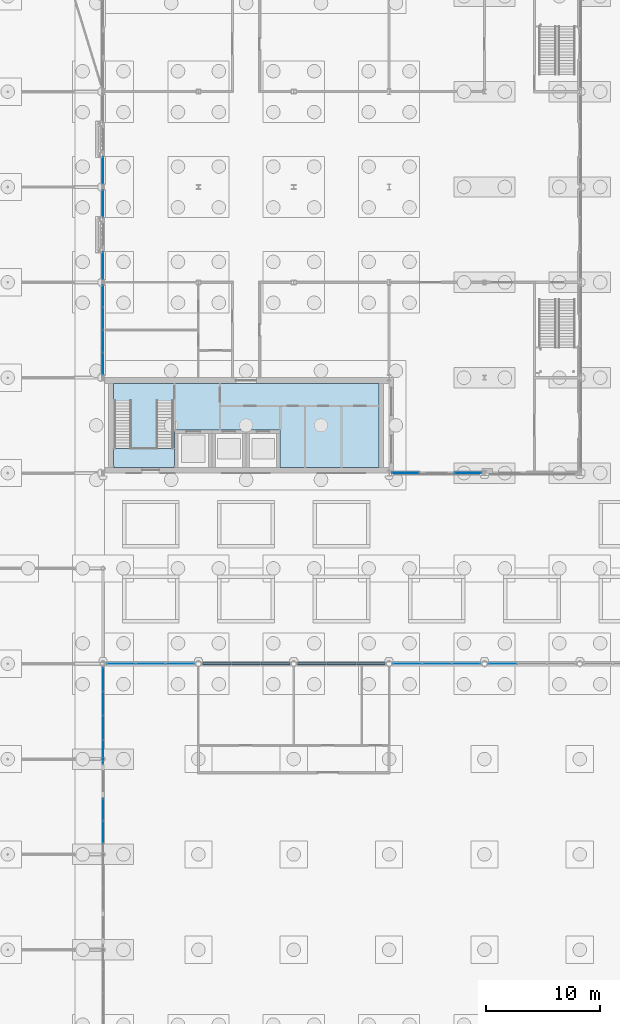
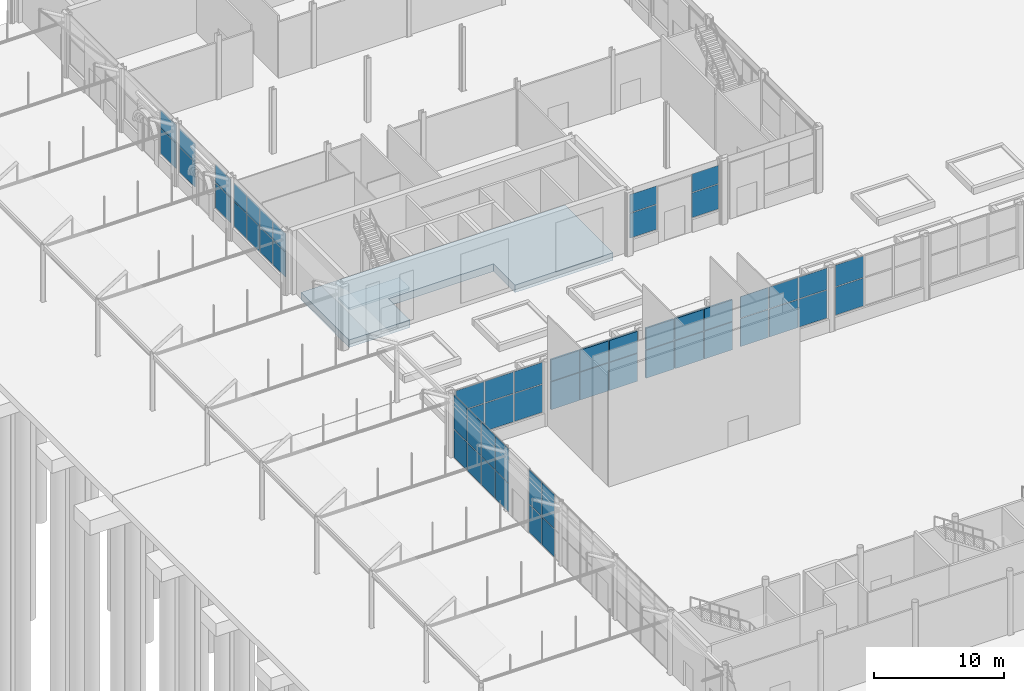
# One storey, part 176 of 212: 56 plates, 2 slabs, 14 elements without a shape of their own.
"""IFC4 building model written with IfcOpenShell, lengths in metres."""

from ifc_helpers import new_model, si_unit, direction, frame, origin, origin_2d, place, context, subcontext, project, spatial, polyline, rectangle, outline, extrude, material, layer, layer_set, type_object, element, aggregate, save


model = new_model("IFC4")

# Units and contexts
model_context = context("Model", 3, precision=1e-05, world=origin(), true_north=direction((0.0, 1.0)))
body_context = subcontext(model_context, "Body", "Model", "MODEL_VIEW")
ifc_project = project(units=[si_unit("LENGTHUNIT", "METRE"), si_unit("AREAUNIT", "SQUARE_METRE"), si_unit("VOLUMEUNIT", "CUBIC_METRE"), si_unit("PLANEANGLEUNIT", "RADIAN"), si_unit("MASSUNIT", "GRAM", prefix="KILO")], contexts=[model_context])

# Site, building, storey
site_placement = place(None, origin())
site = spatial("IfcSite", under=ifc_project, at=site_placement, CompositionType="ELEMENT")
building_placement = place(site_placement, origin())
building = spatial("IfcBuilding", under=site, at=building_placement, Name="Catenary Quay Ferry Terminal", CompositionType="ELEMENT")
storey_placement = place(building_placement, origin())
storey = spatial("IfcBuildingStorey", under=building, at=storey_placement, Name="L00", CompositionType="ELEMENT", Elevation=0.0)

# Curtain wall, plates
ifc_material_1 = material(Name="Aluminium and glass", Category="aluminium")
curtain_wall_type_1 = type_object("IfcCurtainWallType", Name="CWG", PredefinedType="NOTDEFINED", material=ifc_material_1)
curtain_wall_1_placement = place(storey_placement, origin())
curtain_wall_1 = element("IfcCurtainWall", 1, at=curtain_wall_1_placement, inside=storey, type_object=curtain_wall_type_1, Name="Gable departure hall curtain wall CW14", PredefinedType="NOTDEFINED")
ifc_material_2 = material(Name="Glass", Category="glass")
ifc_layer_1 = layer(ifc_material_2, 0.031982421875)
ifc_layer_set_1 = layer_set([ifc_layer_1], Name="PN1")
plate_type_1 = type_object("IfcPlateType", Name="PN1", PredefinedType="CURTAIN_PANEL", material=ifc_layer_set_1)
plate_1_placement = place(storey_placement, frame((25.199951171875, 127.97998046875, 0.06005859375), z_axis=(0.0, 0.0, 1.0), x_axis=(0.0, 1.0, 0.0)))
plate_1 = element("IfcPlate", 2, at=plate_1_placement, type_object=plate_type_1, Name="CW14 panel 4.1", PredefinedType="CURTAIN_PANEL", context=body_context, shape_type="SweptSolid", body=[
    extrude(rectangle(XDim=1.919921875, YDim=0.031982421875, at=origin_2d()), origin(), (0.0, 0.0, 1.0), 2.610107421875),
])
plate_2_placement = place(storey_placement, frame((25.199951171875, 127.97998046875, 2.72998046875), z_axis=(0.0, 0.0, 1.0), x_axis=(0.0, 1.0, 0.0)))
plate_2 = element("IfcPlate", 3, at=plate_2_placement, type_object=plate_type_1, Name="CW14 panel 4.2", PredefinedType="CURTAIN_PANEL", context=body_context, shape_type="SweptSolid", body=[
    extrude(rectangle(XDim=1.919921875, YDim=0.031982421875, at=origin_2d()), origin(), (0.0, 0.0, 1.0), 3.2099609375),
])
plate_3_placement = place(storey_placement, frame((25.199951171875, 129.945068359375, 0.06005859375), z_axis=(0.0, 0.0, 1.0), x_axis=(0.0, 1.0, 0.0)))
plate_3 = element("IfcPlate", 4, at=plate_3_placement, type_object=plate_type_1, Name="CW14 panel 5.1", PredefinedType="CURTAIN_PANEL", context=body_context, shape_type="SweptSolid", body=[
    extrude(rectangle(XDim=1.889892578125, YDim=0.031982421875, at=origin_2d()), origin(), (0.0, 0.0, 1.0), 2.610107421875),
])
plate_4_placement = place(storey_placement, frame((25.199951171875, 129.945068359375, 2.72998046875), z_axis=(0.0, 0.0, 1.0), x_axis=(0.0, 1.0, 0.0)))
plate_4 = element("IfcPlate", 5, at=plate_4_placement, type_object=plate_type_1, Name="CW14 panel 5.2", PredefinedType="CURTAIN_PANEL", context=body_context, shape_type="SweptSolid", body=[
    extrude(rectangle(XDim=1.889892578125, YDim=0.031982421875, at=origin_2d()), origin(), (0.0, 0.0, 1.0), 3.2099609375),
])
aggregate(curtain_wall_1, [plate_1, plate_2, plate_3, plate_4])

curtain_wall_2_placement = place(storey_placement, origin())
curtain_wall_2 = element("IfcCurtainWall", 6, at=curtain_wall_2_placement, inside=storey, type_object=curtain_wall_type_1, Name="Gable departure hall curtain wall CW15", PredefinedType="NOTDEFINED")
plate_5_placement = place(storey_placement, frame((25.199951171875, 135.03369140625, 0.06005859375), z_axis=(0.0, 0.0, 1.0), x_axis=(0.0, 1.0, 0.0)))
plate_5 = element("IfcPlate", 7, at=plate_5_placement, type_object=plate_type_1, Name="CW15 panel 1.1", PredefinedType="CURTAIN_PANEL", context=body_context, shape_type="SweptSolid", body=[
    extrude(rectangle(XDim=2.047607421875, YDim=0.031982421875, at=origin_2d()), origin(), (0.0, 0.0, 1.0), 2.610107421875),
])
plate_6_placement = place(storey_placement, frame((25.199951171875, 135.03369140625, 2.72998046875), z_axis=(0.0, 0.0, 1.0), x_axis=(0.0, 1.0, 0.0)))
plate_6 = element("IfcPlate", 8, at=plate_6_placement, type_object=plate_type_1, Name="CW15 panel 1.2", PredefinedType="CURTAIN_PANEL", context=body_context, shape_type="SweptSolid", body=[
    extrude(rectangle(XDim=2.047607421875, YDim=0.031982421875, at=origin_2d()), origin(), (0.0, 0.0, 1.0), 3.2099609375),
])
plate_7_placement = place(storey_placement, frame((25.199951171875, 137.15625, 0.06005859375), z_axis=(0.0, 0.0, 1.0), x_axis=(0.0, 1.0, 0.0)))
plate_7 = element("IfcPlate", 9, at=plate_7_placement, type_object=plate_type_1, Name="CW15 panel 2.1", PredefinedType="CURTAIN_PANEL", context=body_context, shape_type="SweptSolid", body=[
    extrude(rectangle(XDim=2.077392578125, YDim=0.031982421875, at=origin_2d()), origin(), (0.0, 0.0, 1.0), 2.610107421875),
])
plate_8_placement = place(storey_placement, frame((25.199951171875, 137.15625, 2.72998046875), z_axis=(0.0, 0.0, 1.0), x_axis=(0.0, 1.0, 0.0)))
plate_8 = element("IfcPlate", 10, at=plate_8_placement, type_object=plate_type_1, Name="CW15 panel 2.2", PredefinedType="CURTAIN_PANEL", context=body_context, shape_type="SweptSolid", body=[
    extrude(rectangle(XDim=2.077392578125, YDim=0.031982421875, at=origin_2d()), origin(), (0.0, 0.0, 1.0), 3.2099609375),
])
plate_9_placement = place(storey_placement, frame((25.199951171875, 139.293701171875, 0.06005859375), z_axis=(0.0, 0.0, 1.0), x_axis=(0.0, 1.0, 0.0)))
plate_9 = element("IfcPlate", 11, at=plate_9_placement, type_object=plate_type_1, Name="CW15 panel 3.1", PredefinedType="CURTAIN_PANEL", context=body_context, shape_type="SweptSolid", body=[
    extrude(rectangle(XDim=2.077392578125, YDim=0.031982421875, at=origin_2d()), origin(), (0.0, 0.0, 1.0), 2.610107421875),
])
plate_10_placement = place(storey_placement, frame((25.199951171875, 139.293701171875, 2.72998046875), z_axis=(0.0, 0.0, 1.0), x_axis=(0.0, 1.0, 0.0)))
plate_10 = element("IfcPlate", 12, at=plate_10_placement, type_object=plate_type_1, Name="CW15 panel 3.2", PredefinedType="CURTAIN_PANEL", context=body_context, shape_type="SweptSolid", body=[
    extrude(rectangle(XDim=2.077392578125, YDim=0.031982421875, at=origin_2d()), origin(), (0.0, 0.0, 1.0), 3.2099609375),
])
plate_11_placement = place(storey_placement, frame((25.199951171875, 141.416259765625, 0.06005859375), z_axis=(0.0, 0.0, 1.0), x_axis=(0.0, 1.0, 0.0)))
plate_11 = element("IfcPlate", 13, at=plate_11_placement, type_object=plate_type_1, Name="CW15 panel 4.1", PredefinedType="CURTAIN_PANEL", context=body_context, shape_type="SweptSolid", body=[
    extrude(rectangle(XDim=2.047607421875, YDim=0.031982421875, at=origin_2d()), origin(), (0.0, 0.0, 1.0), 2.610107421875),
])
plate_12_placement = place(storey_placement, frame((25.199951171875, 141.416259765625, 2.72998046875), z_axis=(0.0, 0.0, 1.0), x_axis=(0.0, 1.0, 0.0)))
plate_12 = element("IfcPlate", 14, at=plate_12_placement, type_object=plate_type_1, Name="CW15 panel 4.2", PredefinedType="CURTAIN_PANEL", context=body_context, shape_type="SweptSolid", body=[
    extrude(rectangle(XDim=2.047607421875, YDim=0.031982421875, at=origin_2d()), origin(), (0.0, 0.0, 1.0), 3.2099609375),
])
aggregate(curtain_wall_2, [plate_5, plate_6, plate_7, plate_8, plate_9, plate_10, plate_11, plate_12])

ifc_material_3 = material(Name="Aluminium and glass", Category="aluminium")
curtain_wall_type_2 = type_object("IfcCurtainWallType", Name="CWH", PredefinedType="NOTDEFINED", material=ifc_material_3)
curtain_wall_3_placement = place(storey_placement, origin())
curtain_wall_3 = element("IfcCurtainWall", 15, at=curtain_wall_3_placement, inside=storey, type_object=curtain_wall_type_2, Name="Hall curtain wall CW40", PredefinedType="NOTDEFINED")
ifc_material_4 = material(Name="Glass", Category="glass")
ifc_layer_2 = layer(ifc_material_4, 0.0400390625)
ifc_layer_set_2 = layer_set([ifc_layer_2], Name="PN2")
plate_type_2 = type_object("IfcPlateType", Name="PN2", PredefinedType="CURTAIN_PANEL", material=ifc_layer_set_2)
plate_13_placement = place(storey_placement, frame((26.8173828125, 142.800048828125, 1.259765625), z_axis=(0.0, 0.0, 1.0), x_axis=(1.0, 0.0, 0.0)))
plate_13 = element("IfcPlate", 16, at=plate_13_placement, type_object=plate_type_2, Name="CW40 panel 1.1", PredefinedType="CURTAIN_PANEL", context=body_context, shape_type="SweptSolid", body=[
    extrude(rectangle(XDim=2.4951171875, YDim=0.0400390625, at=origin_2d()), origin(), (0.0, 0.0, 1.0), 2.610107421875),
])
plate_14_placement = place(storey_placement, frame((26.8173828125, 142.800048828125, 3.93017578125), z_axis=(0.0, 0.0, 1.0), x_axis=(1.0, 0.0, 0.0)))
plate_14 = element("IfcPlate", 17, at=plate_14_placement, type_object=plate_type_2, Name="CW40 panel 1.2", PredefinedType="CURTAIN_PANEL", context=body_context, shape_type="SweptSolid", body=[
    extrude(rectangle(XDim=2.4951171875, YDim=0.0400390625, at=origin_2d()), origin(), (0.0, 0.0, 1.0), 2.010009765625),
])
plate_15_placement = place(storey_placement, frame((29.39990234375, 142.800048828125, 1.259765625), z_axis=(0.0, 0.0, 1.0), x_axis=(1.0, 0.0, 0.0)))
plate_15 = element("IfcPlate", 18, at=plate_15_placement, type_object=plate_type_2, Name="CW40 panel 2.1", PredefinedType="CURTAIN_PANEL", context=body_context, shape_type="SweptSolid", body=[
    extrude(rectangle(XDim=2.530029296875, YDim=0.0400390625, at=origin_2d()), origin(), (0.0, 0.0, 1.0), 2.610107421875),
])
plate_16_placement = place(storey_placement, frame((29.39990234375, 142.800048828125, 3.93017578125), z_axis=(0.0, 0.0, 1.0), x_axis=(1.0, 0.0, 0.0)))
plate_16 = element("IfcPlate", 19, at=plate_16_placement, type_object=plate_type_2, Name="CW40 panel 2.2", PredefinedType="CURTAIN_PANEL", context=body_context, shape_type="SweptSolid", body=[
    extrude(rectangle(XDim=2.530029296875, YDim=0.0400390625, at=origin_2d()), origin(), (0.0, 0.0, 1.0), 2.010009765625),
])
plate_17_placement = place(storey_placement, frame((31.982421875, 142.800048828125, 1.259765625), z_axis=(0.0, 0.0, 1.0), x_axis=(1.0, 0.0, 0.0)))
plate_17 = element("IfcPlate", 20, at=plate_17_placement, type_object=plate_type_2, Name="CW40 panel 3.1", PredefinedType="CURTAIN_PANEL", context=body_context, shape_type="SweptSolid", body=[
    extrude(rectangle(XDim=2.4951171875, YDim=0.0400390625, at=origin_2d()), origin(), (0.0, 0.0, 1.0), 2.610107421875),
])
plate_18_placement = place(storey_placement, frame((31.982421875, 142.800048828125, 3.93017578125), z_axis=(0.0, 0.0, 1.0), x_axis=(1.0, 0.0, 0.0)))
plate_18 = element("IfcPlate", 21, at=plate_18_placement, type_object=plate_type_2, Name="CW40 panel 3.2", PredefinedType="CURTAIN_PANEL", context=body_context, shape_type="SweptSolid", body=[
    extrude(rectangle(XDim=2.4951171875, YDim=0.0400390625, at=origin_2d()), origin(), (0.0, 0.0, 1.0), 2.010009765625),
])
aggregate(curtain_wall_3, [plate_13, plate_14, plate_15, plate_16, plate_17, plate_18])

curtain_wall_4_placement = place(storey_placement, origin())
curtain_wall_4 = element("IfcCurtainWall", 22, at=curtain_wall_4_placement, inside=storey, type_object=curtain_wall_type_2, Name="Hall curtain wall CW43", PredefinedType="NOTDEFINED")
plate_19_placement = place(storey_placement, frame((52.017578125, 142.800048828125, 1.259765625), z_axis=(0.0, 0.0, 1.0), x_axis=(1.0, 0.0, 0.0)))
plate_19 = element("IfcPlate", 23, at=plate_19_placement, type_object=plate_type_2, Name="CW43 panel 1.1", PredefinedType="CURTAIN_PANEL", context=body_context, shape_type="SweptSolid", body=[
    extrude(rectangle(XDim=2.4951171875, YDim=0.0400390625, at=origin_2d()), origin(), (0.0, 0.0, 1.0), 2.610107421875),
])
plate_20_placement = place(storey_placement, frame((52.017578125, 142.800048828125, 3.93017578125), z_axis=(0.0, 0.0, 1.0), x_axis=(1.0, 0.0, 0.0)))
plate_20 = element("IfcPlate", 24, at=plate_20_placement, type_object=plate_type_2, Name="CW43 panel 1.2", PredefinedType="CURTAIN_PANEL", context=body_context, shape_type="SweptSolid", body=[
    extrude(rectangle(XDim=2.4951171875, YDim=0.0400390625, at=origin_2d()), origin(), (0.0, 0.0, 1.0), 2.010009765625),
])
plate_21_placement = place(storey_placement, frame((54.60009765625, 142.800048828125, 1.259765625), z_axis=(0.0, 0.0, 1.0), x_axis=(1.0, 0.0, 0.0)))
plate_21 = element("IfcPlate", 25, at=plate_21_placement, type_object=plate_type_2, Name="CW43 panel 2.1", PredefinedType="CURTAIN_PANEL", context=body_context, shape_type="SweptSolid", body=[
    extrude(rectangle(XDim=2.530029296875, YDim=0.0400390625, at=origin_2d()), origin(), (0.0, 0.0, 1.0), 2.610107421875),
])
plate_22_placement = place(storey_placement, frame((54.60009765625, 142.800048828125, 3.93017578125), z_axis=(0.0, 0.0, 1.0), x_axis=(1.0, 0.0, 0.0)))
plate_22 = element("IfcPlate", 26, at=plate_22_placement, type_object=plate_type_2, Name="CW43 panel 2.2", PredefinedType="CURTAIN_PANEL", context=body_context, shape_type="SweptSolid", body=[
    extrude(rectangle(XDim=2.530029296875, YDim=0.0400390625, at=origin_2d()), origin(), (0.0, 0.0, 1.0), 2.010009765625),
])
plate_23_placement = place(storey_placement, frame((57.1826171875, 142.800048828125, 1.259765625), z_axis=(0.0, 0.0, 1.0), x_axis=(1.0, 0.0, 0.0)))
plate_23 = element("IfcPlate", 27, at=plate_23_placement, type_object=plate_type_2, Name="CW43 panel 3.1", PredefinedType="CURTAIN_PANEL", context=body_context, shape_type="SweptSolid", body=[
    extrude(rectangle(XDim=2.4951171875, YDim=0.0400390625, at=origin_2d()), origin(), (0.0, 0.0, 1.0), 2.610107421875),
])
plate_24_placement = place(storey_placement, frame((57.1826171875, 142.800048828125, 3.93017578125), z_axis=(0.0, 0.0, 1.0), x_axis=(1.0, 0.0, 0.0)))
plate_24 = element("IfcPlate", 28, at=plate_24_placement, type_object=plate_type_2, Name="CW43 panel 3.2", PredefinedType="CURTAIN_PANEL", context=body_context, shape_type="SweptSolid", body=[
    extrude(rectangle(XDim=2.4951171875, YDim=0.0400390625, at=origin_2d()), origin(), (0.0, 0.0, 1.0), 2.010009765625),
])
aggregate(curtain_wall_4, [plate_19, plate_20, plate_21, plate_22, plate_23, plate_24])

curtain_wall_5_placement = place(storey_placement, origin())
curtain_wall_5 = element("IfcCurtainWall", 29, at=curtain_wall_5_placement, inside=storey, type_object=curtain_wall_type_2, Name="Hall curtain wall CW44", PredefinedType="NOTDEFINED")
plate_25_placement = place(storey_placement, frame((60.41748046875, 142.800048828125, 1.259765625), z_axis=(0.0, 0.0, 1.0), x_axis=(1.0, 0.0, 0.0)))
plate_25 = element("IfcPlate", 30, at=plate_25_placement, type_object=plate_type_2, Name="CW44 panel 1.1", PredefinedType="CURTAIN_PANEL", context=body_context, shape_type="SweptSolid", body=[
    extrude(rectangle(XDim=2.4951171875, YDim=0.0400390625, at=origin_2d()), origin(), (0.0, 0.0, 1.0), 2.610107421875),
])
plate_26_placement = place(storey_placement, frame((60.41748046875, 142.800048828125, 3.93017578125), z_axis=(0.0, 0.0, 1.0), x_axis=(1.0, 0.0, 0.0)))
plate_26 = element("IfcPlate", 31, at=plate_26_placement, type_object=plate_type_2, Name="CW44 panel 1.2", PredefinedType="CURTAIN_PANEL", context=body_context, shape_type="SweptSolid", body=[
    extrude(rectangle(XDim=2.4951171875, YDim=0.0400390625, at=origin_2d()), origin(), (0.0, 0.0, 1.0), 2.010009765625),
])
aggregate(curtain_wall_5, [plate_25, plate_26])

ifc_material_5 = material(Name="Aluminium and glass", Category="aluminium")
curtain_wall_type_3 = type_object("IfcCurtainWallType", Name="CWW1", PredefinedType="NOTDEFINED", material=ifc_material_5)
curtain_wall_6_placement = place(storey_placement, origin())
curtain_wall_6 = element("IfcCurtainWall", 32, at=curtain_wall_6_placement, inside=storey, type_object=curtain_wall_type_3, Name="Wing curtain wall CW106", PredefinedType="NOTDEFINED")
plate_27_placement = place(storey_placement, frame((25.199951171875, 169.217529296875, 1.260009765625), z_axis=(0.0, 0.0, 1.0), x_axis=(0.0, 1.0, 0.0)))
plate_27 = element("IfcPlate", 33, at=plate_27_placement, type_object=plate_type_2, Name="CW106 panel 1.1", PredefinedType="CURTAIN_PANEL", context=body_context, shape_type="SweptSolid", body=[
    extrude(rectangle(XDim=1.89501953125, YDim=0.0400390625, at=origin_2d()), origin(), (0.0, 0.0, 1.0), 2.31005859375),
])
plate_28_placement = place(storey_placement, frame((25.199951171875, 169.217529296875, 3.630126953125), z_axis=(0.0, 0.0, 1.0), x_axis=(0.0, 1.0, 0.0)))
plate_28 = element("IfcPlate", 34, at=plate_28_placement, type_object=plate_type_2, Name="CW106 panel 1.2", PredefinedType="CURTAIN_PANEL", context=body_context, shape_type="SweptSolid", body=[
    extrude(rectangle(XDim=1.89501953125, YDim=0.0400390625, at=origin_2d()), origin(), (0.0, 0.0, 1.0), 1.7099609375),
])
plate_29_placement = place(storey_placement, frame((25.199951171875, 171.199951171875, 1.260009765625), z_axis=(0.0, 0.0, 1.0), x_axis=(0.0, 1.0, 0.0)))
plate_29 = element("IfcPlate", 35, at=plate_29_placement, type_object=plate_type_2, Name="CW106 panel 2.1", PredefinedType="CURTAIN_PANEL", context=body_context, shape_type="SweptSolid", body=[
    extrude(rectangle(XDim=1.929931640625, YDim=0.0400390625, at=origin_2d()), origin(), (0.0, 0.0, 1.0), 2.31005859375),
])
plate_30_placement = place(storey_placement, frame((25.199951171875, 171.199951171875, 3.630126953125), z_axis=(0.0, 0.0, 1.0), x_axis=(0.0, 1.0, 0.0)))
plate_30 = element("IfcPlate", 36, at=plate_30_placement, type_object=plate_type_2, Name="CW106 panel 2.2", PredefinedType="CURTAIN_PANEL", context=body_context, shape_type="SweptSolid", body=[
    extrude(rectangle(XDim=1.929931640625, YDim=0.0400390625, at=origin_2d()), origin(), (0.0, 0.0, 1.0), 1.7099609375),
])
plate_31_placement = place(storey_placement, frame((25.199951171875, 173.199951171875, 1.260009765625), z_axis=(0.0, 0.0, 1.0), x_axis=(0.0, 1.0, 0.0)))
plate_31 = element("IfcPlate", 37, at=plate_31_placement, type_object=plate_type_2, Name="CW106 panel 3.1", PredefinedType="CURTAIN_PANEL", context=body_context, shape_type="SweptSolid", body=[
    extrude(rectangle(XDim=1.929931640625, YDim=0.0400390625, at=origin_2d()), origin(), (0.0, 0.0, 1.0), 2.31005859375),
])
plate_32_placement = place(storey_placement, frame((25.199951171875, 173.199951171875, 3.630126953125), z_axis=(0.0, 0.0, 1.0), x_axis=(0.0, 1.0, 0.0)))
plate_32 = element("IfcPlate", 38, at=plate_32_placement, type_object=plate_type_2, Name="CW106 panel 3.2", PredefinedType="CURTAIN_PANEL", context=body_context, shape_type="SweptSolid", body=[
    extrude(rectangle(XDim=1.929931640625, YDim=0.0400390625, at=origin_2d()), origin(), (0.0, 0.0, 1.0), 1.7099609375),
])
plate_33_placement = place(storey_placement, frame((25.199951171875, 175.1826171875, 1.260009765625), z_axis=(0.0, 0.0, 1.0), x_axis=(0.0, 1.0, 0.0)))
plate_33 = element("IfcPlate", 39, at=plate_33_placement, type_object=plate_type_2, Name="CW106 panel 4.1", PredefinedType="CURTAIN_PANEL", context=body_context, shape_type="SweptSolid", body=[
    extrude(rectangle(XDim=1.89501953125, YDim=0.0400390625, at=origin_2d()), origin(), (0.0, 0.0, 1.0), 2.31005859375),
])
plate_34_placement = place(storey_placement, frame((25.199951171875, 175.1826171875, 3.630126953125), z_axis=(0.0, 0.0, 1.0), x_axis=(0.0, 1.0, 0.0)))
plate_34 = element("IfcPlate", 40, at=plate_34_placement, type_object=plate_type_2, Name="CW106 panel 4.2", PredefinedType="CURTAIN_PANEL", context=body_context, shape_type="SweptSolid", body=[
    extrude(rectangle(XDim=1.89501953125, YDim=0.0400390625, at=origin_2d()), origin(), (0.0, 0.0, 1.0), 1.7099609375),
])
aggregate(curtain_wall_6, [plate_27, plate_28, plate_29, plate_30, plate_31, plate_32, plate_33, plate_34])

curtain_wall_7_placement = place(storey_placement, origin())
curtain_wall_7 = element("IfcCurtainWall", 41, at=curtain_wall_7_placement, inside=storey, type_object=curtain_wall_type_3, Name="Wing curtain wall CW107", PredefinedType="NOTDEFINED")
plate_35_placement = place(storey_placement, frame((25.199951171875, 177.85009765625, 1.260009765625), z_axis=(0.0, 0.0, 1.0), x_axis=(0.0, 1.0, 0.0)))
plate_35 = element("IfcPlate", 42, at=plate_35_placement, type_object=plate_type_2, Name="CW107 panel 1.1", PredefinedType="CURTAIN_PANEL", context=body_context, shape_type="SweptSolid", body=[
    extrude(rectangle(XDim=2.360107421875, YDim=0.0400390625, at=origin_2d()), origin(), (0.0, 0.0, 1.0), 2.31005859375),
])
plate_36_placement = place(storey_placement, frame((25.199951171875, 177.85009765625, 3.630126953125), z_axis=(0.0, 0.0, 1.0), x_axis=(0.0, 1.0, 0.0)))
plate_36 = element("IfcPlate", 43, at=plate_36_placement, type_object=plate_type_2, Name="CW107 panel 1.2", PredefinedType="CURTAIN_PANEL", context=body_context, shape_type="SweptSolid", body=[
    extrude(rectangle(XDim=2.360107421875, YDim=0.0400390625, at=origin_2d()), origin(), (0.0, 0.0, 1.0), 1.7099609375),
])
aggregate(curtain_wall_7, [plate_35, plate_36])

curtain_wall_8_placement = place(storey_placement, origin())
curtain_wall_8 = element("IfcCurtainWall", 44, at=curtain_wall_8_placement, inside=storey, type_object=curtain_wall_type_3, Name="Wing curtain wall CW108", PredefinedType="NOTDEFINED")
plate_37_placement = place(storey_placement, frame((25.199951171875, 183.35009765625, 1.260009765625), z_axis=(0.0, 0.0, 1.0), x_axis=(0.0, 1.0, 0.0)))
plate_37 = element("IfcPlate", 45, at=plate_37_placement, type_object=plate_type_2, Name="CW108 panel 1.1", PredefinedType="CURTAIN_PANEL", context=body_context, shape_type="SweptSolid", body=[
    extrude(rectangle(XDim=2.360107421875, YDim=0.0400390625, at=origin_2d()), origin(), (0.0, 0.0, 1.0), 2.31005859375),
])
plate_38_placement = place(storey_placement, frame((25.199951171875, 183.35009765625, 3.630126953125), z_axis=(0.0, 0.0, 1.0), x_axis=(0.0, 1.0, 0.0)))
plate_38 = element("IfcPlate", 46, at=plate_38_placement, type_object=plate_type_2, Name="CW108 panel 1.2", PredefinedType="CURTAIN_PANEL", context=body_context, shape_type="SweptSolid", body=[
    extrude(rectangle(XDim=2.360107421875, YDim=0.0400390625, at=origin_2d()), origin(), (0.0, 0.0, 1.0), 1.7099609375),
])
aggregate(curtain_wall_8, [plate_37, plate_38])

curtain_wall_9_placement = place(storey_placement, origin())
curtain_wall_9 = element("IfcCurtainWall", 47, at=curtain_wall_9_placement, inside=storey, type_object=curtain_wall_type_3, Name="Wing curtain wall CW109", PredefinedType="NOTDEFINED")
plate_39_placement = place(storey_placement, frame((25.199951171875, 186.25, 1.260009765625), z_axis=(0.0, 0.0, 1.0), x_axis=(0.0, 1.0, 0.0)))
plate_39 = element("IfcPlate", 48, at=plate_39_placement, type_object=plate_type_2, Name="CW109 panel 1.1", PredefinedType="CURTAIN_PANEL", context=body_context, shape_type="SweptSolid", body=[
    extrude(rectangle(XDim=2.360107421875, YDim=0.0400390625, at=origin_2d()), origin(), (0.0, 0.0, 1.0), 2.31005859375),
])
plate_40_placement = place(storey_placement, frame((25.199951171875, 186.25, 3.630126953125), z_axis=(0.0, 0.0, 1.0), x_axis=(0.0, 1.0, 0.0)))
plate_40 = element("IfcPlate", 49, at=plate_40_placement, type_object=plate_type_2, Name="CW109 panel 1.2", PredefinedType="CURTAIN_PANEL", context=body_context, shape_type="SweptSolid", body=[
    extrude(rectangle(XDim=2.360107421875, YDim=0.0400390625, at=origin_2d()), origin(), (0.0, 0.0, 1.0), 1.7099609375),
])
aggregate(curtain_wall_9, [plate_39, plate_40])

curtain_wall_10_placement = place(storey_placement, origin())
curtain_wall_10 = element("IfcCurtainWall", 50, at=curtain_wall_10_placement, inside=storey, type_object=curtain_wall_type_3, Name="Wing curtain wall CW113", PredefinedType="NOTDEFINED")
plate_41_placement = place(storey_placement, frame((51.85009765625, 159.60009765625, 1.260009765625), z_axis=(0.0, 0.0, 1.0), x_axis=(1.0, 0.0, 0.0)))
plate_41 = element("IfcPlate", 51, at=plate_41_placement, type_object=plate_type_2, Name="CW113 panel 1.1", PredefinedType="CURTAIN_PANEL", context=body_context, shape_type="SweptSolid", body=[
    extrude(rectangle(XDim=2.360107421875, YDim=0.0400390625, at=origin_2d()), origin(), (0.0, 0.0, 1.0), 2.31005859375),
])
plate_42_placement = place(storey_placement, frame((51.85009765625, 159.60009765625, 3.630126953125), z_axis=(0.0, 0.0, 1.0), x_axis=(1.0, 0.0, 0.0)))
plate_42 = element("IfcPlate", 52, at=plate_42_placement, type_object=plate_type_2, Name="CW113 panel 1.2", PredefinedType="CURTAIN_PANEL", context=body_context, shape_type="SweptSolid", body=[
    extrude(rectangle(XDim=2.360107421875, YDim=0.0400390625, at=origin_2d()), origin(), (0.0, 0.0, 1.0), 1.7099609375),
])
aggregate(curtain_wall_10, [plate_41, plate_42])

curtain_wall_11_placement = place(storey_placement, origin())
curtain_wall_11 = element("IfcCurtainWall", 53, at=curtain_wall_11_placement, inside=storey, type_object=curtain_wall_type_3, Name="Wing curtain wall CW114", PredefinedType="NOTDEFINED")
plate_43_placement = place(storey_placement, frame((57.35009765625, 159.60009765625, 1.260009765625), z_axis=(0.0, 0.0, 1.0), x_axis=(1.0, 0.0, 0.0)))
plate_43 = element("IfcPlate", 54, at=plate_43_placement, type_object=plate_type_2, Name="CW114 panel 1.1", PredefinedType="CURTAIN_PANEL", context=body_context, shape_type="SweptSolid", body=[
    extrude(rectangle(XDim=2.360107421875, YDim=0.0400390625, at=origin_2d()), origin(), (0.0, 0.0, 1.0), 2.31005859375),
])
plate_44_placement = place(storey_placement, frame((57.35009765625, 159.60009765625, 3.630126953125), z_axis=(0.0, 0.0, 1.0), x_axis=(1.0, 0.0, 0.0)))
plate_44 = element("IfcPlate", 55, at=plate_44_placement, type_object=plate_type_2, Name="CW114 panel 1.2", PredefinedType="CURTAIN_PANEL", context=body_context, shape_type="SweptSolid", body=[
    extrude(rectangle(XDim=2.360107421875, YDim=0.0400390625, at=origin_2d()), origin(), (0.0, 0.0, 1.0), 1.7099609375),
])
aggregate(curtain_wall_11, [plate_43, plate_44])

ifc_material_6 = material(Name="Aluminium and glass", Category="aluminium")
curtain_wall_type_4 = type_object("IfcCurtainWallType", Name="CWW4", PredefinedType="NOTDEFINED", material=ifc_material_6)
curtain_wall_12_placement = place(storey_placement, origin())
curtain_wall_12 = element("IfcCurtainWall", 56, at=curtain_wall_12_placement, inside=storey, type_object=curtain_wall_type_4, Name="Hall curtain wall CW41", PredefinedType="NOTDEFINED")
ifc_material_7 = material(Name="Ceramic tile facing on insulated backing")
ifc_layer_3 = layer(ifc_material_7, 0.14990234375)
ifc_layer_set_3 = layer_set([ifc_layer_3], Name="PN7")
plate_type_3 = type_object("IfcPlateType", Name="PN7", PredefinedType="CURTAIN_PANEL", material=ifc_layer_set_3)
plate_45_placement = place(storey_placement, frame((35.217529296875, 142.800048828125, 1.259765625), z_axis=(0.0, 0.0, 1.0), x_axis=(1.0, 0.0, 0.0)))
plate_45 = element("IfcPlate", 57, at=plate_45_placement, type_object=plate_type_3, Name="CW41 panel 1.1", PredefinedType="CURTAIN_PANEL", context=body_context, shape_type="SweptSolid", body=[
    extrude(rectangle(XDim=2.4951171875, YDim=0.14990234375, at=origin_2d()), origin(), (0.0, 0.0, 1.0), 2.610107421875),
])
plate_46_placement = place(storey_placement, frame((35.217529296875, 142.800048828125, 3.93017578125), z_axis=(0.0, 0.0, 1.0), x_axis=(1.0, 0.0, 0.0)))
plate_46 = element("IfcPlate", 58, at=plate_46_placement, type_object=plate_type_3, Name="CW41 panel 1.2", PredefinedType="CURTAIN_PANEL", context=body_context, shape_type="SweptSolid", body=[
    extrude(rectangle(XDim=2.4951171875, YDim=0.14990234375, at=origin_2d()), origin(), (0.0, 0.0, 1.0), 2.010009765625),
])
plate_47_placement = place(storey_placement, frame((37.800048828125, 142.800048828125, 1.259765625), z_axis=(0.0, 0.0, 1.0), x_axis=(1.0, 0.0, 0.0)))
plate_47 = element("IfcPlate", 59, at=plate_47_placement, type_object=plate_type_3, Name="CW41 panel 2.1", PredefinedType="CURTAIN_PANEL", context=body_context, shape_type="SweptSolid", body=[
    extrude(rectangle(XDim=2.530029296875, YDim=0.14990234375, at=origin_2d()), origin(), (0.0, 0.0, 1.0), 2.610107421875),
])
plate_48_placement = place(storey_placement, frame((37.800048828125, 142.800048828125, 3.93017578125), z_axis=(0.0, 0.0, 1.0), x_axis=(1.0, 0.0, 0.0)))
plate_48 = element("IfcPlate", 60, at=plate_48_placement, type_object=plate_type_3, Name="CW41 panel 2.2", PredefinedType="CURTAIN_PANEL", context=body_context, shape_type="SweptSolid", body=[
    extrude(rectangle(XDim=2.530029296875, YDim=0.14990234375, at=origin_2d()), origin(), (0.0, 0.0, 1.0), 2.010009765625),
])
plate_49_placement = place(storey_placement, frame((40.382568359375, 142.800048828125, 1.259765625), z_axis=(0.0, 0.0, 1.0), x_axis=(1.0, 0.0, 0.0)))
plate_49 = element("IfcPlate", 61, at=plate_49_placement, type_object=plate_type_3, Name="CW41 panel 3.1", PredefinedType="CURTAIN_PANEL", context=body_context, shape_type="SweptSolid", body=[
    extrude(rectangle(XDim=2.4951171875, YDim=0.14990234375, at=origin_2d()), origin(), (0.0, 0.0, 1.0), 2.610107421875),
])
plate_50_placement = place(storey_placement, frame((40.382568359375, 142.800048828125, 3.93017578125), z_axis=(0.0, 0.0, 1.0), x_axis=(1.0, 0.0, 0.0)))
plate_50 = element("IfcPlate", 62, at=plate_50_placement, type_object=plate_type_3, Name="CW41 panel 3.2", PredefinedType="CURTAIN_PANEL", context=body_context, shape_type="SweptSolid", body=[
    extrude(rectangle(XDim=2.4951171875, YDim=0.14990234375, at=origin_2d()), origin(), (0.0, 0.0, 1.0), 2.010009765625),
])
aggregate(curtain_wall_12, [plate_45, plate_46, plate_47, plate_48, plate_49, plate_50])

curtain_wall_13_placement = place(storey_placement, origin())
curtain_wall_13 = element("IfcCurtainWall", 63, at=curtain_wall_13_placement, inside=storey, type_object=curtain_wall_type_4, Name="Hall curtain wall CW42", PredefinedType="NOTDEFINED")
plate_51_placement = place(storey_placement, frame((43.617431640625, 142.800048828125, 1.259765625), z_axis=(0.0, 0.0, 1.0), x_axis=(1.0, 0.0, 0.0)))
plate_51 = element("IfcPlate", 64, at=plate_51_placement, type_object=plate_type_3, Name="CW42 panel 1.1", PredefinedType="CURTAIN_PANEL", context=body_context, shape_type="SweptSolid", body=[
    extrude(rectangle(XDim=2.4951171875, YDim=0.14990234375, at=origin_2d()), origin(), (0.0, 0.0, 1.0), 2.610107421875),
])
plate_52_placement = place(storey_placement, frame((43.617431640625, 142.800048828125, 3.93017578125), z_axis=(0.0, 0.0, 1.0), x_axis=(1.0, 0.0, 0.0)))
plate_52 = element("IfcPlate", 65, at=plate_52_placement, type_object=plate_type_3, Name="CW42 panel 1.2", PredefinedType="CURTAIN_PANEL", context=body_context, shape_type="SweptSolid", body=[
    extrude(rectangle(XDim=2.4951171875, YDim=0.14990234375, at=origin_2d()), origin(), (0.0, 0.0, 1.0), 2.010009765625),
])
plate_53_placement = place(storey_placement, frame((46.199951171875, 142.800048828125, 1.259765625), z_axis=(0.0, 0.0, 1.0), x_axis=(1.0, 0.0, 0.0)))
plate_53 = element("IfcPlate", 66, at=plate_53_placement, type_object=plate_type_3, Name="CW42 panel 2.1", PredefinedType="CURTAIN_PANEL", context=body_context, shape_type="SweptSolid", body=[
    extrude(rectangle(XDim=2.530029296875, YDim=0.14990234375, at=origin_2d()), origin(), (0.0, 0.0, 1.0), 2.610107421875),
])
plate_54_placement = place(storey_placement, frame((46.199951171875, 142.800048828125, 3.93017578125), z_axis=(0.0, 0.0, 1.0), x_axis=(1.0, 0.0, 0.0)))
plate_54 = element("IfcPlate", 67, at=plate_54_placement, type_object=plate_type_3, Name="CW42 panel 2.2", PredefinedType="CURTAIN_PANEL", context=body_context, shape_type="SweptSolid", body=[
    extrude(rectangle(XDim=2.530029296875, YDim=0.14990234375, at=origin_2d()), origin(), (0.0, 0.0, 1.0), 2.010009765625),
])
plate_55_placement = place(storey_placement, frame((48.782470703125, 142.800048828125, 1.259765625), z_axis=(0.0, 0.0, 1.0), x_axis=(1.0, 0.0, 0.0)))
plate_55 = element("IfcPlate", 68, at=plate_55_placement, type_object=plate_type_3, Name="CW42 panel 3.1", PredefinedType="CURTAIN_PANEL", context=body_context, shape_type="SweptSolid", body=[
    extrude(rectangle(XDim=2.4951171875, YDim=0.14990234375, at=origin_2d()), origin(), (0.0, 0.0, 1.0), 2.610107421875),
])
plate_56_placement = place(storey_placement, frame((48.782470703125, 142.800048828125, 3.93017578125), z_axis=(0.0, 0.0, 1.0), x_axis=(1.0, 0.0, 0.0)))
plate_56 = element("IfcPlate", 69, at=plate_56_placement, type_object=plate_type_3, Name="CW42 panel 3.2", PredefinedType="CURTAIN_PANEL", context=body_context, shape_type="SweptSolid", body=[
    extrude(rectangle(XDim=2.4951171875, YDim=0.14990234375, at=origin_2d()), origin(), (0.0, 0.0, 1.0), 2.010009765625),
])
aggregate(curtain_wall_13, [plate_51, plate_52, plate_53, plate_54, plate_55, plate_56])

# Slab
ifc_material_8 = material(Name="Concrete C35/45", Category="concrete")
ifc_layer_4 = layer(ifc_material_8, 0.699951171875)
ifc_layer_set_4 = layer_set([ifc_layer_4], Name="Quay deck slab 700")
slab_type_1 = type_object("IfcSlabType", Name="Quay deck slab 700", PredefinedType="BASESLAB", material=ifc_layer_set_4)
slab_1_placement = place(storey_placement, frame((0.0, 0.0, -0.699951171875)))
element("IfcSlab", 70, at=slab_1_placement, inside=storey, type_object=slab_type_1, Name="Quay deck panel P3 operations wing", PredefinedType="BASESLAB", context=body_context, shape_type="SweptSolid", body=[
    extrude(outline(polyline([(31.5, 163.39990234375), (31.5, 160.110107421875), (26.110107421875, 160.110107421875), (26.110107421875, 167.489990234375), (49.489990234375, 167.489990234375), (49.489990234375, 160.110107421875), (40.800048828125, 160.110107421875), (40.800048828125, 163.39990234375), (37.800048828125, 163.39990234375), (34.800048828125, 163.39990234375), (31.5, 163.39990234375)])), origin(), (0.0, 0.0, 1.0), 0.699951171875),
])

# Stair, slab
ifc_material_9 = material(Name="Concrete C35/45", Category="concrete")
stair_type = type_object("IfcStairType", Name="STX1500", PredefinedType="HALF_TURN_STAIR", material=ifc_material_9)
stair_placement = place(storey_placement, origin())
stair = element("IfcStair", 71, at=stair_placement, inside=storey, type_object=stair_type, Name="Stair HS2 L00 to L01", PredefinedType="HALF_TURN_STAIR")
ifc_material_10 = material(Name="Concrete C35/45", Category="concrete")
ifc_layer_5 = layer(ifc_material_10, 0.199951171875)
ifc_layer_set_5 = layer_set([ifc_layer_5], Name="SLX1500")
slab_type_2 = type_object("IfcSlabType", Name="SLX1500", PredefinedType="LANDING", material=ifc_layer_set_5)
slab_2_placement = place(storey_placement, frame((0.0, 0.0, 2.800048828125)))
slab_2 = element("IfcSlab", 72, at=slab_2_placement, type_object=slab_type_2, Name="HS2-L00 landing 1", PredefinedType="LANDING", context=body_context, shape_type="SweptSolid", body=[
    extrude(outline(polyline([(26.199951171875, 160.10009765625), (26.199951171875, 160.199951171875), (26.10009765625, 160.199951171875), (26.10009765625, 161.75), (31.5, 161.75), (31.5, 160.199951171875), (31.39990234375, 160.199951171875), (31.39990234375, 160.10009765625), (26.199951171875, 160.10009765625)])), origin(), (0.0, 0.0, 1.0), 0.199951171875),
])
aggregate(stair, [slab_2])

save(model, "model.ifc")
